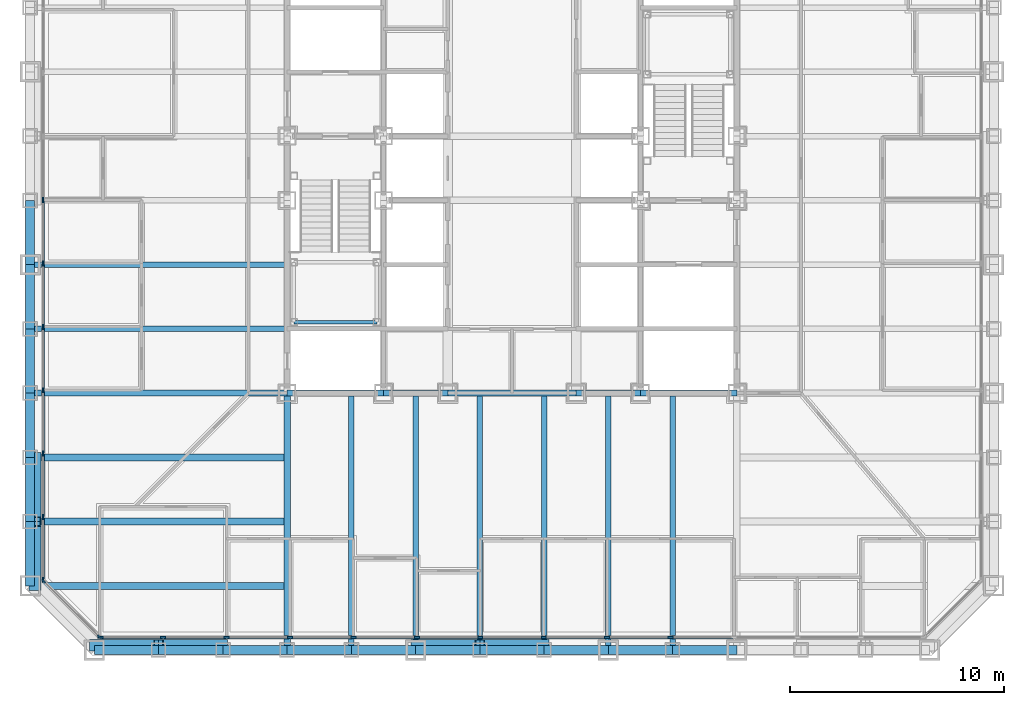
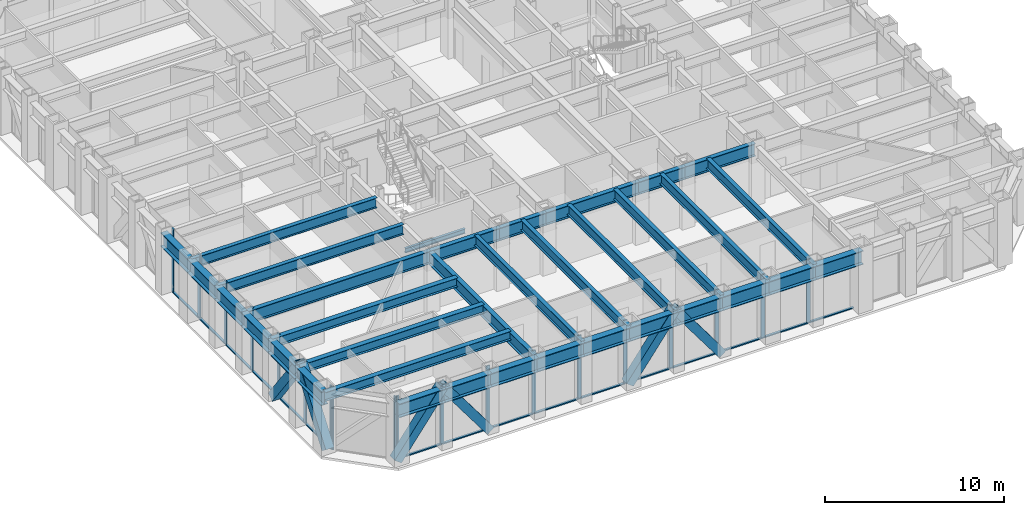
# One storey, part 2 of 16: 41 members, 35 beams, 3 elements without a shape of their own.
"""IFC4 building model written with IfcOpenShell, lengths in metres."""

from ifc_helpers import new_model, si_unit, direction, frame, origin, origin_2d, place, context, subcontext, project, spatial, rectangle, hollow_rectangle, i_section, extrude, material, layer, layer_set, material_profile, profile_set, type_object, element, aggregate, save


model = new_model("IFC4")

# Units and contexts
model_context = context("Model", 3, precision=1e-05, world=origin(), true_north=direction((0.0, 1.0)))
body_context = subcontext(model_context, "Body", "Model", "MODEL_VIEW")
ifc_project = project(units=[si_unit("LENGTHUNIT", "METRE"), si_unit("AREAUNIT", "SQUARE_METRE"), si_unit("VOLUMEUNIT", "CUBIC_METRE"), si_unit("PLANEANGLEUNIT", "RADIAN"), si_unit("MASSUNIT", "GRAM", prefix="KILO")], contexts=[model_context])

# Site, building, storey
site_placement = place(None, origin())
site = spatial("IfcSite", under=ifc_project, at=site_placement, CompositionType="ELEMENT")
building_placement = place(site_placement, origin())
building = spatial("IfcBuilding", under=site, at=building_placement, Name="Chuquiago Exchange Tower", CompositionType="ELEMENT")
storey_placement = place(building_placement, frame((0.0, 0.0, 28.800048828125)))
storey = spatial("IfcBuildingStorey", under=building, at=storey_placement, Name="L05", CompositionType="ELEMENT", Elevation=28.800048828125)

# Beams
ifc_material_1 = material(Name="Steel ASTM A992", Category="steel")
ifc_material_profile_1 = material_profile(ifc_material_1, i_section(OverallWidth=0.2919921875, OverallDepth=0.8583984375, WebThickness=0.01708984375, FlangeThickness=0.031005859375, at=origin_2d()), Name="W33X169")
ifc_profile_set_1 = profile_set([ifc_material_profile_1], Name="Steel ASTM A992")
beam_type_1 = type_object("IfcBeamType", Name="B3 W33X169", PredefinedType="BEAM", material=ifc_profile_set_1)
beam_1_placement = place(storey_placement, frame((12.0, 12.0, 3.610595703125), z_axis=(1.0, 0.0, 0.0), x_axis=(0.0, 1.0, 0.0)))
element("IfcBeam", 1, at=beam_1_placement, inside=storey, type_object=beam_type_1, Name="CB-L06-12_12-16.5_12", PredefinedType="BEAM", context=body_context, shape_type="SweptSolid", body=[
    extrude(i_section(OverallWidth=0.2919921875, OverallDepth=0.8583984375, WebThickness=0.01708984375, FlangeThickness=0.031005859375, at=origin_2d()), origin(), (0.0, 0.0, 1.0), 4.5),
])
beam_2_placement = place(storey_placement, frame((16.5, 12.0, 3.610595703125), z_axis=(1.0, 0.0, 0.0), x_axis=(0.0, 1.0, 0.0)))
element("IfcBeam", 2, at=beam_2_placement, inside=storey, type_object=beam_type_1, Name="CB-L06-16.5_12-19.5_12", PredefinedType="BEAM", context=body_context, shape_type="SweptSolid", body=[
    extrude(i_section(OverallWidth=0.2919921875, OverallDepth=0.8583984375, WebThickness=0.01708984375, FlangeThickness=0.031005859375, at=origin_2d()), origin(), (0.0, 0.0, 1.0), 3.0),
])
beam_3_placement = place(storey_placement, frame((19.5, 12.0, 3.610595703125), z_axis=(1.0, 0.0, 0.0), x_axis=(0.0, 1.0, 0.0)))
element("IfcBeam", 3, at=beam_3_placement, inside=storey, type_object=beam_type_1, Name="CB-L06-19.5_12-25.5_12", PredefinedType="BEAM", context=body_context, shape_type="SweptSolid", body=[
    extrude(i_section(OverallWidth=0.2919921875, OverallDepth=0.8583984375, WebThickness=0.01708984375, FlangeThickness=0.031005859375, at=origin_2d()), origin(), (0.0, 0.0, 1.0), 6.0),
])
beam_4_placement = place(storey_placement, frame((25.5, 12.0, 3.610595703125), z_axis=(1.0, 0.0, 0.0), x_axis=(0.0, 1.0, 0.0)))
element("IfcBeam", 4, at=beam_4_placement, inside=storey, type_object=beam_type_1, Name="CB-L06-25.5_12-28.5_12", PredefinedType="BEAM", context=body_context, shape_type="SweptSolid", body=[
    extrude(i_section(OverallWidth=0.2919921875, OverallDepth=0.8583984375, WebThickness=0.01708984375, FlangeThickness=0.031005859375, at=origin_2d()), origin(), (0.0, 0.0, 1.0), 3.0),
])
beam_5_placement = place(storey_placement, frame((28.5, 12.0, 3.610595703125), z_axis=(1.0, 0.0, 0.0), x_axis=(0.0, 1.0, 0.0)))
element("IfcBeam", 5, at=beam_5_placement, inside=storey, type_object=beam_type_1, Name="CB-L06-28.5_12-33_12", PredefinedType="BEAM", context=body_context, shape_type="SweptSolid", body=[
    extrude(i_section(OverallWidth=0.2919921875, OverallDepth=0.8583984375, WebThickness=0.01708984375, FlangeThickness=0.031005859375, at=origin_2d()), origin(), (0.0, 0.0, 1.0), 4.5),
])
ifc_material_2 = material(Name="Steel ASTM A992", Category="steel")
ifc_material_profile_2 = material_profile(ifc_material_2, i_section(OverallWidth=0.256591796875, OverallDepth=0.693359375, WebThickness=0.014404296875, FlangeThickness=0.023681640625, at=origin_2d()), Name="W27X114")
ifc_profile_set_2 = profile_set([ifc_material_profile_2], Name="Steel ASTM A992")
beam_type_2 = type_object("IfcBeamType", Name="B4 W27X114", PredefinedType="BEAM", material=ifc_profile_set_2)
for number, where, z_axis, x_axis, name in (
    (6, (15.0, 12.0, 3.693359375), (0.0, -1.0, 0.0), (1.0, 0.0, 0.0), "FB-L06-infill-15_12-15_-0-0"),
    (7, (18.0, 12.0, 3.693359375), (0.0, -1.0, 0.0), (1.0, 0.0, 0.0), "FB-L06-infill-18_12-18_-0-0"),
    (8, (21.0, 12.0, 3.693359375), (0.0, -1.0, 0.0), (1.0, 0.0, 0.0), "FB-L06-infill-21_12-21_-0-0"),
    (9, (24.0, 12.0, 3.693359375), (0.0, -1.0, 0.0), (1.0, 0.0, 0.0), "FB-L06-infill-24_12-24_-0-0"),
    (10, (27.0, 12.0, 3.693359375), (0.0, -1.0, 0.0), (1.0, 0.0, 0.0), "FB-L06-infill-27_12-27_-0-0"),
    (11, (30.0, 12.0, 3.693359375), (0.0, -1.0, 0.0), (1.0, 0.0, 0.0), "FB-L06-infill-30_12-30_-0-0"),
    (12, (12.0, 15.0, 3.693359375), (-1.0, 0.0, 0.0), (0.0, -1.0, 0.0), "FB-L06-infill-12_15--0_15-0"),
    (13, (12.0, 18.0, 3.693359375), (-1.0, 0.0, 0.0), (0.0, -1.0, 0.0), "FB-L06-infill-12_18--0_18-0"),
):
    element("IfcBeam", number, at=place(storey_placement, frame(where, z_axis=z_axis, x_axis=x_axis)), inside=storey, type_object=beam_type_2, Name=name, PredefinedType="BEAM", context=body_context, shape_type="SweptSolid", body=[
        extrude(i_section(OverallWidth=0.256591796875, OverallDepth=0.693359375, WebThickness=0.014404296875, FlangeThickness=0.023681640625, at=origin_2d()), origin(), (0.0, 0.0, 1.0), 12.0),
    ])
ifc_material_3 = material(Name="Steel ASTM A992", Category="steel")
ifc_material_profile_3 = material_profile(ifc_material_3, i_section(OverallWidth=0.3251953125, OverallDepth=0.6171875, WebThickness=0.013916015625, FlangeThickness=0.021484375, at=origin_2d()), Name="W24X117")
ifc_profile_set_3 = profile_set([ifc_material_profile_3], Name="Steel ASTM A992")
beam_type_3 = type_object("IfcBeamType", Name="B5 W24X117", PredefinedType="BEAM", material=ifc_profile_set_3)
for number, where, z_axis, x_axis, name in (
    (14, (12.0, 3.0, 3.7314453125), (-1.0, 0.0, 0.0), (0.0, -1.0, 0.0), "FB-L06-corner-12_3--0_3-0"),
    (15, (12.0, 6.0, 3.7314453125), (-1.0, 0.0, 0.0), (0.0, -1.0, 0.0), "FB-L06-corner-12_6--0_6-0"),
    (16, (12.0, 9.0, 3.7314453125), (-1.0, 0.0, 0.0), (0.0, -1.0, 0.0), "FB-L06-corner-12_9--0_9-0"),
):
    element("IfcBeam", number, at=place(storey_placement, frame(where, z_axis=z_axis, x_axis=x_axis)), inside=storey, type_object=beam_type_3, Name=name, PredefinedType="BEAM", context=body_context, shape_type="SweptSolid", body=[
        extrude(i_section(OverallWidth=0.3251953125, OverallDepth=0.6171875, WebThickness=0.013916015625, FlangeThickness=0.021484375, at=origin_2d()), origin(), (0.0, 0.0, 1.0), 12.0),
    ])

# Curtain wall, members
ifc_material_4 = material(Name="Aluminium curtain wall system", Category="aluminium")
ifc_layer_1 = layer(ifc_material_4, 0.25)
ifc_layer_set_1 = layer_set([ifc_layer_1], Name="CW1 trading floor curtain wall")
curtain_wall_type_1 = type_object("IfcCurtainWallType", Name="CW1 trading floor curtain wall", PredefinedType="NOTDEFINED", material=ifc_layer_set_1)
curtain_wall_1_placement = place(storey_placement, origin())
curtain_wall_1 = element("IfcCurtainWall", 17, at=curtain_wall_1_placement, inside=storey, type_object=curtain_wall_type_1, Name="CW1 curtain wall L05", PredefinedType="NOTDEFINED")
ifc_material_5 = material(Name="Aluminium mullion, pale anodised", Category="aluminium")
ifc_material_profile_4 = material_profile(ifc_material_5, rectangle(XDim=0.074951171875, YDim=0.25, at=origin_2d()), Name="AL 75x250")
ifc_profile_set_4 = profile_set([ifc_material_profile_4], Name="Aluminium mullion, pale anodised")
member_type_1 = type_object("IfcMemberType", Name="CW1-M mullion 75x250", PredefinedType="MULLION", material=ifc_profile_set_4)
member_1_placement = place(storey_placement, frame((3.285888671875, 0.60009765625, -0.300048828125), z_axis=(0.0, 0.0, 1.0), x_axis=(0.0, 1.0, 0.0)))
member_1 = element("IfcMember", 18, at=member_1_placement, type_object=member_type_1, Name="CW1 mullion 1", PredefinedType="MULLION", context=body_context, shape_type="SweptSolid", body=[
    extrude(rectangle(XDim=0.074951171875, YDim=0.25, at=origin_2d()), origin(), (0.0, 0.0, 1.0), 4.340087890625),
])
member_2_placement = place(storey_placement, frame((6.210205078125, 0.60009765625, -0.300048828125), z_axis=(0.0, 0.0, 1.0), x_axis=(0.0, 1.0, 0.0)))
member_2 = element("IfcMember", 19, at=member_2_placement, type_object=member_type_1, Name="CW1 mullion 2", PredefinedType="MULLION", context=body_context, shape_type="SweptSolid", body=[
    extrude(rectangle(XDim=0.074951171875, YDim=0.25, at=origin_2d()), origin(), (0.0, 0.0, 1.0), 4.340087890625),
])
member_3_placement = place(storey_placement, frame((9.172119140625, 0.60009765625, -0.300048828125), z_axis=(0.0, 0.0, 1.0), x_axis=(0.0, 1.0, 0.0)))
member_3 = element("IfcMember", 20, at=member_3_placement, type_object=member_type_1, Name="CW1 mullion 3", PredefinedType="MULLION", context=body_context, shape_type="SweptSolid", body=[
    extrude(rectangle(XDim=0.074951171875, YDim=0.25, at=origin_2d()), origin(), (0.0, 0.0, 1.0), 4.340087890625),
])
member_4_placement = place(storey_placement, frame((12.1337890625, 0.60009765625, -0.300048828125), z_axis=(0.0, 0.0, 1.0), x_axis=(0.0, 1.0, 0.0)))
member_4 = element("IfcMember", 21, at=member_4_placement, type_object=member_type_1, Name="CW1 mullion 4", PredefinedType="MULLION", context=body_context, shape_type="SweptSolid", body=[
    extrude(rectangle(XDim=0.074951171875, YDim=0.25, at=origin_2d()), origin(), (0.0, 0.0, 1.0), 4.340087890625),
])
member_5_placement = place(storey_placement, frame((15.095458984375, 0.60009765625, -0.300048828125), z_axis=(0.0, 0.0, 1.0), x_axis=(0.0, 1.0, 0.0)))
member_5 = element("IfcMember", 22, at=member_5_placement, type_object=member_type_1, Name="CW1 mullion 5", PredefinedType="MULLION", context=body_context, shape_type="SweptSolid", body=[
    extrude(rectangle(XDim=0.074951171875, YDim=0.25, at=origin_2d()), origin(), (0.0, 0.0, 1.0), 4.340087890625),
])
member_6_placement = place(storey_placement, frame((18.057373046875, 0.60009765625, -0.300048828125), z_axis=(0.0, 0.0, 1.0), x_axis=(0.0, 1.0, 0.0)))
member_6 = element("IfcMember", 23, at=member_6_placement, type_object=member_type_1, Name="CW1 mullion 6", PredefinedType="MULLION", context=body_context, shape_type="SweptSolid", body=[
    extrude(rectangle(XDim=0.074951171875, YDim=0.25, at=origin_2d()), origin(), (0.0, 0.0, 1.0), 4.340087890625),
])
member_7_placement = place(storey_placement, frame((21.01904296875, 0.60009765625, -0.300048828125), z_axis=(0.0, 0.0, 1.0), x_axis=(0.0, 1.0, 0.0)))
member_7 = element("IfcMember", 24, at=member_7_placement, type_object=member_type_1, Name="CW1 mullion 7", PredefinedType="MULLION", context=body_context, shape_type="SweptSolid", body=[
    extrude(rectangle(XDim=0.074951171875, YDim=0.25, at=origin_2d()), origin(), (0.0, 0.0, 1.0), 4.340087890625),
])
member_8_placement = place(storey_placement, frame((23.98095703125, 0.60009765625, -0.300048828125), z_axis=(0.0, 0.0, 1.0), x_axis=(0.0, 1.0, 0.0)))
member_8 = element("IfcMember", 25, at=member_8_placement, type_object=member_type_1, Name="CW1 mullion 8", PredefinedType="MULLION", context=body_context, shape_type="SweptSolid", body=[
    extrude(rectangle(XDim=0.074951171875, YDim=0.25, at=origin_2d()), origin(), (0.0, 0.0, 1.0), 4.340087890625),
])
member_9_placement = place(storey_placement, frame((26.942626953125, 0.60009765625, -0.300048828125), z_axis=(0.0, 0.0, 1.0), x_axis=(0.0, 1.0, 0.0)))
member_9 = element("IfcMember", 26, at=member_9_placement, type_object=member_type_1, Name="CW1 mullion 9", PredefinedType="MULLION", context=body_context, shape_type="SweptSolid", body=[
    extrude(rectangle(XDim=0.074951171875, YDim=0.25, at=origin_2d()), origin(), (0.0, 0.0, 1.0), 4.340087890625),
])
member_10_placement = place(storey_placement, frame((29.904541015625, 0.60009765625, -0.300048828125), z_axis=(0.0, 0.0, 1.0), x_axis=(0.0, 1.0, 0.0)))
member_10 = element("IfcMember", 27, at=member_10_placement, type_object=member_type_1, Name="CW1 mullion 10", PredefinedType="MULLION", context=body_context, shape_type="SweptSolid", body=[
    extrude(rectangle(XDim=0.074951171875, YDim=0.25, at=origin_2d()), origin(), (0.0, 0.0, 1.0), 4.340087890625),
])

curtain_wall_2_placement = place(storey_placement, origin())
curtain_wall_2 = element("IfcCurtainWall", 28, at=curtain_wall_2_placement, inside=storey, type_object=curtain_wall_type_1, Name="CW1 curtain wall L05", PredefinedType="NOTDEFINED")
member_11_placement = place(storey_placement, frame((0.60009765625, 21.01904296875, -0.300048828125), z_axis=(0.0, 0.0, 1.0), x_axis=(1.0, 0.0, 0.0)))
member_11 = element("IfcMember", 29, at=member_11_placement, type_object=member_type_1, Name="CW1 mullion 8", PredefinedType="MULLION", context=body_context, shape_type="SweptSolid", body=[
    extrude(rectangle(XDim=0.074951171875, YDim=0.25, at=origin_2d()), origin(), (0.0, 0.0, 1.0), 4.340087890625),
])
member_12_placement = place(storey_placement, frame((0.60009765625, 18.057373046875, -0.300048828125), z_axis=(0.0, 0.0, 1.0), x_axis=(1.0, 0.0, 0.0)))
member_12 = element("IfcMember", 30, at=member_12_placement, type_object=member_type_1, Name="CW1 mullion 9", PredefinedType="MULLION", context=body_context, shape_type="SweptSolid", body=[
    extrude(rectangle(XDim=0.074951171875, YDim=0.25, at=origin_2d()), origin(), (0.0, 0.0, 1.0), 4.340087890625),
])
member_13_placement = place(storey_placement, frame((0.60009765625, 15.095458984375, -0.300048828125), z_axis=(0.0, 0.0, 1.0), x_axis=(1.0, 0.0, 0.0)))
member_13 = element("IfcMember", 31, at=member_13_placement, type_object=member_type_1, Name="CW1 mullion 10", PredefinedType="MULLION", context=body_context, shape_type="SweptSolid", body=[
    extrude(rectangle(XDim=0.074951171875, YDim=0.25, at=origin_2d()), origin(), (0.0, 0.0, 1.0), 4.340087890625),
])
member_14_placement = place(storey_placement, frame((0.60009765625, 12.1337890625, -0.300048828125), z_axis=(0.0, 0.0, 1.0), x_axis=(1.0, 0.0, 0.0)))
member_14 = element("IfcMember", 32, at=member_14_placement, type_object=member_type_1, Name="CW1 mullion 11", PredefinedType="MULLION", context=body_context, shape_type="SweptSolid", body=[
    extrude(rectangle(XDim=0.074951171875, YDim=0.25, at=origin_2d()), origin(), (0.0, 0.0, 1.0), 4.340087890625),
])
member_15_placement = place(storey_placement, frame((0.60009765625, 9.172119140625, -0.300048828125), z_axis=(0.0, 0.0, 1.0), x_axis=(1.0, 0.0, 0.0)))
member_15 = element("IfcMember", 33, at=member_15_placement, type_object=member_type_1, Name="CW1 mullion 12", PredefinedType="MULLION", context=body_context, shape_type="SweptSolid", body=[
    extrude(rectangle(XDim=0.074951171875, YDim=0.25, at=origin_2d()), origin(), (0.0, 0.0, 1.0), 4.340087890625),
])
member_16_placement = place(storey_placement, frame((0.60009765625, 6.210205078125, -0.300048828125), z_axis=(0.0, 0.0, 1.0), x_axis=(1.0, 0.0, 0.0)))
member_16 = element("IfcMember", 34, at=member_16_placement, type_object=member_type_1, Name="CW1 mullion 13", PredefinedType="MULLION", context=body_context, shape_type="SweptSolid", body=[
    extrude(rectangle(XDim=0.074951171875, YDim=0.25, at=origin_2d()), origin(), (0.0, 0.0, 1.0), 4.340087890625),
])
member_17_placement = place(storey_placement, frame((0.60009765625, 3.285888671875, -0.300048828125), z_axis=(0.0, 0.0, 1.0), x_axis=(1.0, 0.0, 0.0)))
member_17 = element("IfcMember", 35, at=member_17_placement, type_object=member_type_1, Name="CW1 mullion 14", PredefinedType="MULLION", context=body_context, shape_type="SweptSolid", body=[
    extrude(rectangle(XDim=0.074951171875, YDim=0.25, at=origin_2d()), origin(), (0.0, 0.0, 1.0), 4.340087890625),
])

# Member
ifc_material_6 = material(Name="Aluminium transom, pale anodised", Category="aluminium")
ifc_material_profile_5 = material_profile(ifc_material_6, rectangle(XDim=0.14990234375, YDim=0.074951171875, at=origin_2d()), Name="AL 150x75")
ifc_profile_set_5 = profile_set([ifc_material_profile_5], Name="Aluminium transom, pale anodised")
member_type_2 = type_object("IfcMemberType", Name="CW1-T transom 75x150", PredefinedType="MULLION", material=ifc_profile_set_5)
member_18_placement = place(storey_placement, frame((3.323486328125, 0.60009765625, -0.262451171875), z_axis=(1.0, 0.0, 0.0), x_axis=(0.0, 1.0, 0.0)))
member_18 = element("IfcMember", 36, at=member_18_placement, type_object=member_type_2, Name="CW1 transom 1.1", PredefinedType="MULLION", context=body_context, shape_type="SweptSolid", body=[
    extrude(rectangle(XDim=0.14990234375, YDim=0.074951171875, at=origin_2d()), origin(), (0.0, 0.0, 1.0), 2.849365234375),
])

member_19_placement = place(storey_placement, frame((6.247802734375, 0.60009765625, -0.262451171875), z_axis=(1.0, 0.0, 0.0), x_axis=(0.0, 1.0, 0.0)))
member_19 = element("IfcMember", 37, at=member_19_placement, type_object=member_type_2, Name="CW1 transom 2.1", PredefinedType="MULLION", context=body_context, shape_type="SweptSolid", body=[
    extrude(rectangle(XDim=0.14990234375, YDim=0.074951171875, at=origin_2d()), origin(), (0.0, 0.0, 1.0), 2.88671875),
])

member_20_placement = place(storey_placement, frame((9.20947265625, 0.60009765625, -0.262451171875), z_axis=(1.0, 0.0, 0.0), x_axis=(0.0, 1.0, 0.0)))
member_20 = element("IfcMember", 38, at=member_20_placement, type_object=member_type_2, Name="CW1 transom 3.1", PredefinedType="MULLION", context=body_context, shape_type="SweptSolid", body=[
    extrude(rectangle(XDim=0.14990234375, YDim=0.074951171875, at=origin_2d()), origin(), (0.0, 0.0, 1.0), 2.88671875),
])

member_21_placement = place(storey_placement, frame((12.17138671875, 0.60009765625, -0.262451171875), z_axis=(1.0, 0.0, 0.0), x_axis=(0.0, 1.0, 0.0)))
member_21 = element("IfcMember", 39, at=member_21_placement, type_object=member_type_2, Name="CW1 transom 4.1", PredefinedType="MULLION", context=body_context, shape_type="SweptSolid", body=[
    extrude(rectangle(XDim=0.14990234375, YDim=0.074951171875, at=origin_2d()), origin(), (0.0, 0.0, 1.0), 2.88671875),
])

member_22_placement = place(storey_placement, frame((15.133056640625, 0.60009765625, -0.262451171875), z_axis=(1.0, 0.0, 0.0), x_axis=(0.0, 1.0, 0.0)))
member_22 = element("IfcMember", 40, at=member_22_placement, type_object=member_type_2, Name="CW1 transom 5.1", PredefinedType="MULLION", context=body_context, shape_type="SweptSolid", body=[
    extrude(rectangle(XDim=0.14990234375, YDim=0.074951171875, at=origin_2d()), origin(), (0.0, 0.0, 1.0), 2.88671875),
])

member_23_placement = place(storey_placement, frame((18.0947265625, 0.60009765625, -0.262451171875), z_axis=(1.0, 0.0, 0.0), x_axis=(0.0, 1.0, 0.0)))
member_23 = element("IfcMember", 41, at=member_23_placement, type_object=member_type_2, Name="CW1 transom 6.1", PredefinedType="MULLION", context=body_context, shape_type="SweptSolid", body=[
    extrude(rectangle(XDim=0.14990234375, YDim=0.074951171875, at=origin_2d()), origin(), (0.0, 0.0, 1.0), 2.886962890625),
])

member_24_placement = place(storey_placement, frame((21.056640625, 0.60009765625, -0.262451171875), z_axis=(1.0, 0.0, 0.0), x_axis=(0.0, 1.0, 0.0)))
member_24 = element("IfcMember", 42, at=member_24_placement, type_object=member_type_2, Name="CW1 transom 7.1", PredefinedType="MULLION", context=body_context, shape_type="SweptSolid", body=[
    extrude(rectangle(XDim=0.14990234375, YDim=0.074951171875, at=origin_2d()), origin(), (0.0, 0.0, 1.0), 2.88671875),
])

member_25_placement = place(storey_placement, frame((24.018310546875, 0.60009765625, -0.262451171875), z_axis=(1.0, 0.0, 0.0), x_axis=(0.0, 1.0, 0.0)))
member_25 = element("IfcMember", 43, at=member_25_placement, type_object=member_type_2, Name="CW1 transom 8.1", PredefinedType="MULLION", context=body_context, shape_type="SweptSolid", body=[
    extrude(rectangle(XDim=0.14990234375, YDim=0.074951171875, at=origin_2d()), origin(), (0.0, 0.0, 1.0), 2.886962890625),
])

member_26_placement = place(storey_placement, frame((26.980224609375, 0.60009765625, -0.262451171875), z_axis=(1.0, 0.0, 0.0), x_axis=(0.0, 1.0, 0.0)))
member_26 = element("IfcMember", 44, at=member_26_placement, type_object=member_type_2, Name="CW1 transom 9.1", PredefinedType="MULLION", context=body_context, shape_type="SweptSolid", body=[
    extrude(rectangle(XDim=0.14990234375, YDim=0.074951171875, at=origin_2d()), origin(), (0.0, 0.0, 1.0), 2.88671875),
])

member_27_placement = place(storey_placement, frame((29.94189453125, 0.60009765625, -0.262451171875), z_axis=(1.0, 0.0, 0.0), x_axis=(0.0, 1.0, 0.0)))
member_27 = element("IfcMember", 45, at=member_27_placement, type_object=member_type_2, Name="CW1 transom 10.1", PredefinedType="MULLION", context=body_context, shape_type="SweptSolid", body=[
    extrude(rectangle(XDim=0.14990234375, YDim=0.074951171875, at=origin_2d()), origin(), (0.0, 0.0, 1.0), 2.88671875),
])

aggregate(curtain_wall_1, [member_1, member_2, member_3, member_4, member_5, member_6, member_7, member_8, member_9, member_10, member_18, member_19, member_20, member_21, member_22, member_23, member_24, member_25, member_26, member_27])

member_28_placement = place(storey_placement, frame((0.60009765625, 20.981689453125, -0.262451171875), z_axis=(0.0, -1.0, 0.0), x_axis=(1.0, 0.0, 0.0)))
member_28 = element("IfcMember", 46, at=member_28_placement, type_object=member_type_2, Name="CW1 transom 8.1", PredefinedType="MULLION", context=body_context, shape_type="SweptSolid", body=[
    extrude(rectangle(XDim=0.14990234375, YDim=0.074951171875, at=origin_2d()), origin(), (0.0, 0.0, 1.0), 2.886962890625),
])

member_29_placement = place(storey_placement, frame((0.60009765625, 18.019775390625, -0.262451171875), z_axis=(0.0, -1.0, 0.0), x_axis=(1.0, 0.0, 0.0)))
member_29 = element("IfcMember", 47, at=member_29_placement, type_object=member_type_2, Name="CW1 transom 9.1", PredefinedType="MULLION", context=body_context, shape_type="SweptSolid", body=[
    extrude(rectangle(XDim=0.14990234375, YDim=0.074951171875, at=origin_2d()), origin(), (0.0, 0.0, 1.0), 2.88671875),
])

member_30_placement = place(storey_placement, frame((0.60009765625, 15.05810546875, -0.262451171875), z_axis=(0.0, -1.0, 0.0), x_axis=(1.0, 0.0, 0.0)))
member_30 = element("IfcMember", 48, at=member_30_placement, type_object=member_type_2, Name="CW1 transom 10.1", PredefinedType="MULLION", context=body_context, shape_type="SweptSolid", body=[
    extrude(rectangle(XDim=0.14990234375, YDim=0.074951171875, at=origin_2d()), origin(), (0.0, 0.0, 1.0), 2.88671875),
])

member_31_placement = place(storey_placement, frame((0.60009765625, 12.09619140625, -0.262451171875), z_axis=(0.0, -1.0, 0.0), x_axis=(1.0, 0.0, 0.0)))
member_31 = element("IfcMember", 49, at=member_31_placement, type_object=member_type_2, Name="CW1 transom 11.1", PredefinedType="MULLION", context=body_context, shape_type="SweptSolid", body=[
    extrude(rectangle(XDim=0.14990234375, YDim=0.074951171875, at=origin_2d()), origin(), (0.0, 0.0, 1.0), 2.88671875),
])

member_32_placement = place(storey_placement, frame((0.60009765625, 9.134521484375, -0.262451171875), z_axis=(0.0, -1.0, 0.0), x_axis=(1.0, 0.0, 0.0)))
member_32 = element("IfcMember", 50, at=member_32_placement, type_object=member_type_2, Name="CW1 transom 12.1", PredefinedType="MULLION", context=body_context, shape_type="SweptSolid", body=[
    extrude(rectangle(XDim=0.14990234375, YDim=0.074951171875, at=origin_2d()), origin(), (0.0, 0.0, 1.0), 2.88671875),
])

member_33_placement = place(storey_placement, frame((0.60009765625, 6.1728515625, -0.262451171875), z_axis=(0.0, -1.0, 0.0), x_axis=(1.0, 0.0, 0.0)))
member_33 = element("IfcMember", 51, at=member_33_placement, type_object=member_type_2, Name="CW1 transom 13.1", PredefinedType="MULLION", context=body_context, shape_type="SweptSolid", body=[
    extrude(rectangle(XDim=0.14990234375, YDim=0.074951171875, at=origin_2d()), origin(), (0.0, 0.0, 1.0), 2.849365234375),
])

aggregate(curtain_wall_2, [member_11, member_12, member_13, member_14, member_15, member_16, member_17, member_28, member_29, member_30, member_31, member_32, member_33])

# Curtain wall, members
ifc_material_7 = material(Name="Aluminium curtain wall system", Category="aluminium")
ifc_layer_2 = layer(ifc_material_7, 0.199951171875)
ifc_layer_set_2 = layer_set([ifc_layer_2], Name="CW3 facet curtain wall")
curtain_wall_type_2 = type_object("IfcCurtainWallType", Name="CW3 facet curtain wall", PredefinedType="NOTDEFINED", material=ifc_layer_set_2)
curtain_wall_3_placement = place(storey_placement, origin())
curtain_wall_3 = element("IfcCurtainWall", 52, at=curtain_wall_3_placement, inside=storey, type_object=curtain_wall_type_2, Name="CW3 curtain wall L05", PredefinedType="NOTDEFINED")
ifc_material_8 = material(Name="Aluminium mullion, pale anodised", Category="aluminium")
ifc_material_profile_6 = material_profile(ifc_material_8, rectangle(XDim=0.06494140625, YDim=0.199951171875, at=origin_2d()), Name="AL 65x200")
ifc_profile_set_6 = profile_set([ifc_material_profile_6], Name="Aluminium mullion, pale anodised")
member_type_3 = type_object("IfcMemberType", Name="CW3-M mullion 65x200", PredefinedType="MULLION", material=ifc_profile_set_6)
member_34_placement = place(storey_placement, frame((0.623046875, 3.2255859375, -0.300048828125), z_axis=(0.0, 0.0, 1.0), x_axis=(0.707106781187, 0.707106781187, 0.0)))
member_34 = element("IfcMember", 53, at=member_34_placement, type_object=member_type_3, Name="CW3 mullion 1", PredefinedType="MULLION", context=body_context, shape_type="SweptSolid", body=[
    extrude(rectangle(XDim=0.06494140625, YDim=0.199951171875, at=origin_2d()), origin(), (0.0, 0.0, 1.0), 4.340087890625),
])
member_35_placement = place(storey_placement, frame((3.2255859375, 0.623046875, -0.300048828125), z_axis=(0.0, 0.0, 1.0), x_axis=(0.707106781187, 0.707106781187, 0.0)))
member_35 = element("IfcMember", 54, at=member_35_placement, type_object=member_type_3, Name="CW3 mullion 2", PredefinedType="MULLION", context=body_context, shape_type="SweptSolid", body=[
    extrude(rectangle(XDim=0.06494140625, YDim=0.199951171875, at=origin_2d()), origin(), (0.0, 0.0, 1.0), 4.340087890625),
])
aggregate(curtain_wall_3, [member_34, member_35])

# Beams
ifc_material_9 = material(Name="Steel ASTM A992", Category="steel")
ifc_material_profile_7 = material_profile(ifc_material_9, i_section(OverallWidth=0.2919921875, OverallDepth=0.8583984375, WebThickness=0.01708984375, FlangeThickness=0.031005859375, at=origin_2d()), Name="W33X169")
ifc_profile_set_7 = profile_set([ifc_material_profile_7], Name="Steel ASTM A992")
beam_type_4 = type_object("IfcBeamType", Name="G2 W33X169", PredefinedType="BEAM", material=ifc_profile_set_7)
for number, where, z_axis, x_axis, name in (
    (55, (12.0, 12.0, 3.610595703125), (0.0, -1.0, 0.0), (1.0, 0.0, 0.0), "FB-L06-girder-12_12-12_-0-0"),
    (56, (12.0, 12.0, 3.610595703125), (-1.0, 0.0, 0.0), (0.0, -1.0, 0.0), "FB-L06-girder-12_12--0_12-0"),
):
    element("IfcBeam", number, at=place(storey_placement, frame(where, z_axis=z_axis, x_axis=x_axis)), inside=storey, type_object=beam_type_4, Name=name, PredefinedType="BEAM", context=body_context, shape_type="SweptSolid", body=[
        extrude(i_section(OverallWidth=0.2919921875, OverallDepth=0.8583984375, WebThickness=0.01708984375, FlangeThickness=0.031005859375, at=origin_2d()), origin(), (0.0, 0.0, 1.0), 12.0),
    ])
ifc_material_10 = material(Name="Steel ASTM A992", Category="steel")
ifc_material_profile_8 = material_profile(ifc_material_10, i_section(OverallWidth=0.164794921875, OverallDepth=0.309814453125, WebThickness=0.005859375, FlangeThickness=0.009765625, at=origin_2d()), Name="W12X26")
ifc_profile_set_8 = profile_set([ifc_material_profile_8], Name="Steel ASTM A992")
beam_type_5 = type_object("IfcBeamType", Name="LT1 W12X26", PredefinedType="BEAM", material=ifc_profile_set_8)
beam_6_placement = place(storey_placement, frame((12.31005859375, 15.31005859375, 1.89501953125), z_axis=(1.0, 0.0, 0.0), x_axis=(0.0, 1.0, 0.0)))
element("IfcBeam", 57, at=beam_6_placement, inside=storey, type_object=beam_type_5, Name="Stair ST1 L05 landing 1 trimmer", PredefinedType="BEAM", context=body_context, shape_type="SweptSolid", body=[
    extrude(i_section(OverallWidth=0.164794921875, OverallDepth=0.309814453125, WebThickness=0.005859375, FlangeThickness=0.009765625, at=origin_2d()), origin(), (0.0, 0.0, 1.0), 3.8798828125),
])

# Members
ifc_material_11 = material(Name="Steel ASTM A572 Grade 50", Category="steel")
ifc_material_profile_9 = material_profile(ifc_material_11, hollow_rectangle(XDim=0.550048828125, YDim=0.550048828125, WallThickness=0.044921875, at=origin_2d()), Name="BOX550X550X45")
ifc_profile_set_9 = profile_set([ifc_material_profile_9], Name="Steel ASTM A572 Grade 50")
member_type_4 = type_object("IfcMemberType", Name="MB1 BOX550X550X45", PredefinedType="BRACE", material=ifc_profile_set_9)
for number, where, z_axis, x_axis, name in (
    (58, (3.0, 0.22998046875, 0.0), (0.596173923302, 0.0, 0.802855312728), (0.0, 1.0, 0.0), "Mega diagonal L05 S face"),
    (59, (9.0, 0.22998046875, 0.0), (-0.596173923302, 0.0, 0.802855312728), (0.0, -1.0, 0.0), "Mega diagonal L05 S face"),
    (60, (18.0, 0.22998046875, 0.0), (0.596173923302, 0.0, 0.802855312728), (0.0, 1.0, 0.0), "Mega diagonal L05 S face"),
    (61, (24.0, 0.22998046875, 0.0), (-0.596173923302, 0.0, 0.802855312728), (0.0, -1.0, 0.0), "Mega diagonal L05 S face"),
    (62, (0.22998046875, 9.0, 0.0), (0.0, -0.596173923302, 0.802855312728), (1.0, 0.0, 0.0), "Mega diagonal L05 W face"),
    (63, (0.22998046875, 3.0, 0.0), (0.0, 0.596173923302, 0.802855312728), (-1.0, 0.0, 0.0), "Mega diagonal L05 W face"),
):
    element("IfcMember", number, at=place(storey_placement, frame(where, z_axis=z_axis, x_axis=x_axis)), inside=storey, type_object=member_type_4, Name=name, PredefinedType="BRACE", context=body_context, shape_type="SweptSolid", body=[
        extrude(hollow_rectangle(XDim=0.550048828125, YDim=0.550048828125, WallThickness=0.044921875, at=origin_2d()), origin(), (0.0, 0.0, 1.0), 5.031982421875),
    ])

# Beams
ifc_material_12 = material(Name="Steel ASTM A992", Category="steel")
ifc_material_profile_10 = material_profile(ifc_material_12, i_section(OverallWidth=0.424072265625, OverallDepth=0.947509765625, WebThickness=0.02392578125, FlangeThickness=0.042724609375, at=origin_2d()), Name="W36X302")
ifc_profile_set_10 = profile_set([ifc_material_profile_10], Name="Steel ASTM A992")
beam_type_6 = type_object("IfcBeamType", Name="SP1 W36X302", PredefinedType="SPANDREL", material=ifc_profile_set_10)
for number, where, z_axis, x_axis, name in (
    (64, (3.0, 0.0, 3.566162109375), (1.0, 0.0, 0.0), (0.0, 1.0, 0.0), "SPB-L06-3_0-6_0"),
    (65, (6.0, 0.0, 3.566162109375), (1.0, 0.0, 0.0), (0.0, 1.0, 0.0), "SPB-L06-6_0-9_0"),
    (66, (9.0, 0.0, 3.566162109375), (1.0, 0.0, 0.0), (0.0, 1.0, 0.0), "SPB-L06-9_0-12_0"),
    (67, (12.0, 0.0, 3.566162109375), (1.0, 0.0, 0.0), (0.0, 1.0, 0.0), "SPB-L06-12_0-15_0"),
    (68, (15.0, 0.0, 3.566162109375), (1.0, 0.0, 0.0), (0.0, 1.0, 0.0), "SPB-L06-15_0-18_0"),
    (69, (18.0, 0.0, 3.566162109375), (1.0, 0.0, 0.0), (0.0, 1.0, 0.0), "SPB-L06-18_0-21_0"),
    (70, (21.0, 0.0, 3.566162109375), (1.0, 0.0, 0.0), (0.0, 1.0, 0.0), "SPB-L06-21_0-24_0"),
    (71, (24.0, 0.0, 3.566162109375), (1.0, 0.0, 0.0), (0.0, 1.0, 0.0), "SPB-L06-24_0-27_0"),
    (72, (27.0, 0.0, 3.566162109375), (1.0, 0.0, 0.0), (0.0, 1.0, 0.0), "SPB-L06-27_0-30_0"),
    (73, (30.0, 0.0, 3.566162109375), (1.0, 0.0, 0.0), (0.0, 1.0, 0.0), "SPB-L06-30_0-33_0"),
    (74, (0.0, 21.0, 3.566162109375), (0.0, -1.0, 0.0), (1.0, 0.0, 0.0), "SPB-L06-0_21-0_18"),
    (75, (0.0, 18.0, 3.566162109375), (0.0, -1.0, 0.0), (1.0, 0.0, 0.0), "SPB-L06-0_18-0_15"),
    (76, (0.0, 15.0, 3.566162109375), (0.0, -1.0, 0.0), (1.0, 0.0, 0.0), "SPB-L06-0_15-0_12"),
    (77, (0.0, 12.0, 3.566162109375), (0.0, -1.0, 0.0), (1.0, 0.0, 0.0), "SPB-L06-0_12-0_9"),
    (78, (0.0, 9.0, 3.566162109375), (0.0, -1.0, 0.0), (1.0, 0.0, 0.0), "SPB-L06-0_9-0_6"),
    (79, (0.0, 6.0, 3.566162109375), (0.0, -1.0, 0.0), (1.0, 0.0, 0.0), "SPB-L06-0_6-0_3"),
):
    element("IfcBeam", number, at=place(storey_placement, frame(where, z_axis=z_axis, x_axis=x_axis)), inside=storey, type_object=beam_type_6, Name=name, PredefinedType="SPANDREL", context=body_context, shape_type="SweptSolid", body=[
        extrude(i_section(OverallWidth=0.424072265625, OverallDepth=0.947509765625, WebThickness=0.02392578125, FlangeThickness=0.042724609375, at=origin_2d()), origin(), (0.0, 0.0, 1.0), 3.0),
    ])

save(model, "model.ifc")
